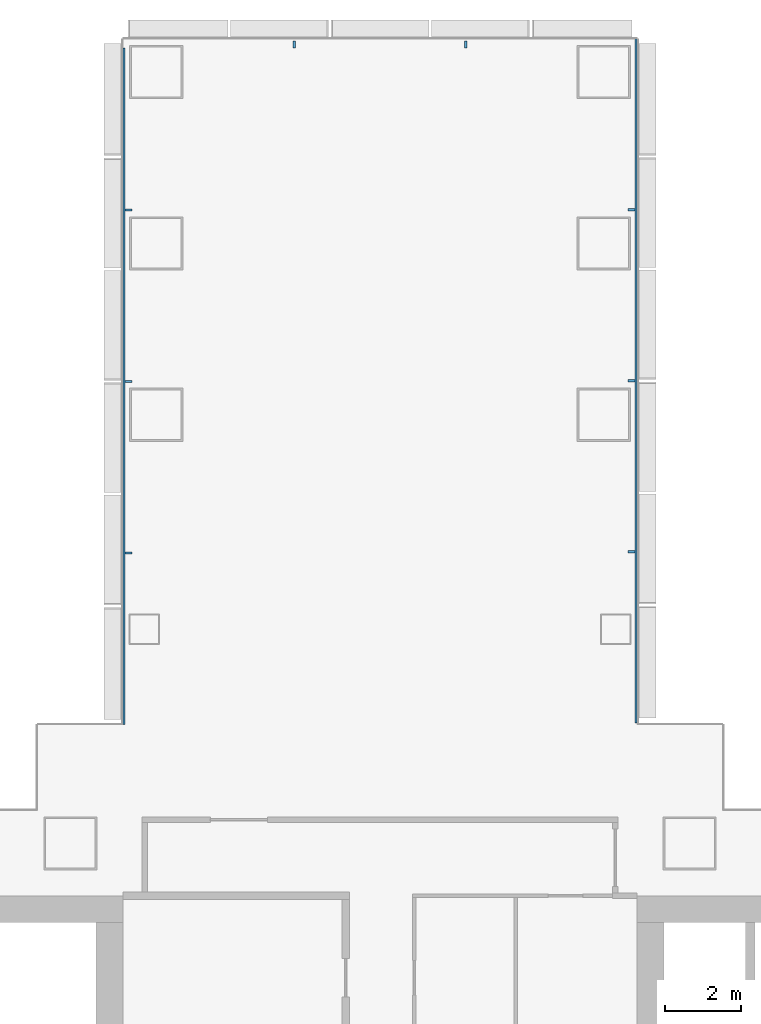
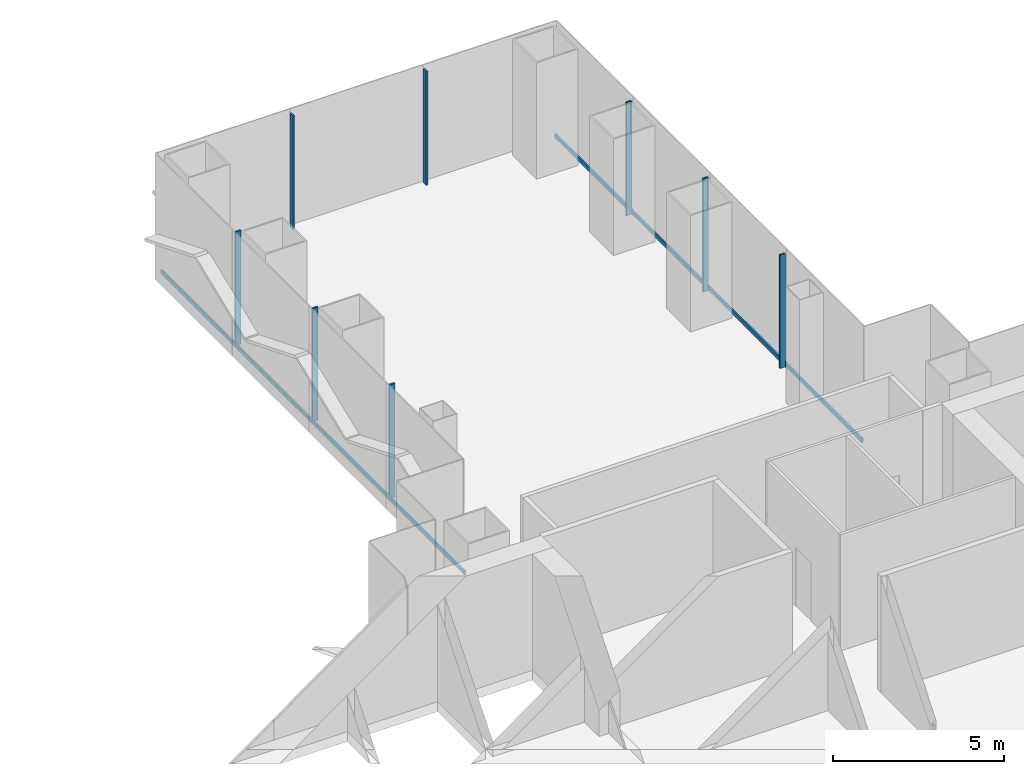
# One storey, part 10 of 22: 10 members, 3 elements without a shape of their own.
"""IFC4 building model written with IfcOpenShell, lengths in metres."""

from ifc_helpers import new_model, si_unit, direction, frame, origin, origin_2d, place, context, subcontext, project, spatial, rectangle, extrude, material, layer, layer_set, material_profile, profile_set, type_object, element, aggregate, save


model = new_model("IFC4")

# Units and contexts
model_context = context("Model", 3, precision=1e-05, world=origin(), true_north=direction((0.0, 1.0)))
body_context = subcontext(model_context, "Body", "Model", "MODEL_VIEW")
ifc_project = project(units=[si_unit("LENGTHUNIT", "METRE"), si_unit("AREAUNIT", "SQUARE_METRE"), si_unit("VOLUMEUNIT", "CUBIC_METRE"), si_unit("PLANEANGLEUNIT", "RADIAN"), si_unit("MASSUNIT", "GRAM", prefix="KILO")], contexts=[model_context])

# Site, building, storey
site_placement = place(None, origin())
site = spatial("IfcSite", under=ifc_project, at=site_placement, CompositionType="ELEMENT")
building_placement = place(site_placement, origin())
building = spatial("IfcBuilding", under=site, at=building_placement, Name="Shamsa Quay Exchange Towers", CompositionType="ELEMENT")
storey_placement = place(building_placement, frame((0.0, 0.0, 37.5)))
storey = spatial("IfcBuildingStorey", under=building, at=storey_placement, Name="L07", CompositionType="ELEMENT", Elevation=37.5)

# Curtain wall, members
ifc_material = material(Name="Aluminium EN AW-6063 T6, black anodised", Category="aluminium")
ifc_layer = layer(ifc_material, 0.280029296875)
ifc_layer_set = layer_set([ifc_layer], Name="CW-1 UNITISED VISION GLASS")
curtain_wall_type = type_object("IfcCurtainWallType", Name="CW-1 UNITISED VISION GLASS", PredefinedType="NOTDEFINED", material=ifc_layer_set)
curtain_wall_1_placement = place(storey_placement, origin())
curtain_wall_1 = element("IfcCurtainWall", 1, at=curtain_wall_1_placement, inside=storey, type_object=curtain_wall_type, Name="CW1 T2-FLK-U+S L07", PredefinedType="NOTDEFINED")
ifc_material_profile_1 = material_profile(ifc_material, rectangle(XDim=0.179931640625, YDim=0.06005859375, at=origin_2d()), Name="MU60x180")
ifc_profile_set_1 = profile_set([ifc_material_profile_1], Name="Aluminium EN AW-6063 T6, black anodised")
member_type_1 = type_object("IfcMemberType", Name="CW1 MULLION 60x180", PredefinedType="MULLION", material=ifc_profile_set_1)
member_1_placement = place(storey_placement, frame((40.35009765625, 15.778564453125, 0.0), z_axis=(0.0, 0.0, 1.0), x_axis=(-1.0, 0.0, 0.0)))
member_1 = element("IfcMember", 2, at=member_1_placement, type_object=member_type_1, Name="CW1 mullion", PredefinedType="MULLION", context=body_context, shape_type="SweptSolid", body=[
    extrude(rectangle(XDim=0.179931640625, YDim=0.06005859375, at=origin_2d()), origin(), (0.0, 0.0, 1.0), 4.050048828125),
])
member_2_placement = place(storey_placement, frame((40.35009765625, 20.26904296875, 0.0), z_axis=(0.0, 0.0, 1.0), x_axis=(-1.0, 0.0, 0.0)))
member_2 = element("IfcMember", 3, at=member_2_placement, type_object=member_type_1, Name="CW1 mullion", PredefinedType="MULLION", context=body_context, shape_type="SweptSolid", body=[
    extrude(rectangle(XDim=0.179931640625, YDim=0.06005859375, at=origin_2d()), origin(), (0.0, 0.0, 1.0), 4.050048828125),
])
member_3_placement = place(storey_placement, frame((40.35009765625, 24.759521484375, 0.0), z_axis=(0.0, 0.0, 1.0), x_axis=(-1.0, 0.0, 0.0)))
member_3 = element("IfcMember", 4, at=member_3_placement, type_object=member_type_1, Name="CW1 mullion", PredefinedType="MULLION", context=body_context, shape_type="SweptSolid", body=[
    extrude(rectangle(XDim=0.179931640625, YDim=0.06005859375, at=origin_2d()), origin(), (0.0, 0.0, 1.0), 4.050048828125),
])

curtain_wall_2_placement = place(storey_placement, origin())
curtain_wall_2 = element("IfcCurtainWall", 5, at=curtain_wall_2_placement, inside=storey, type_object=curtain_wall_type, Name="CW1 T2-END-U+ L07", PredefinedType="NOTDEFINED")
member_4_placement = place(storey_placement, frame((36.0, 29.10009765625, 0.0), z_axis=(0.0, 0.0, 1.0), x_axis=(0.0, -1.0, 0.0)))
member_4 = element("IfcMember", 6, at=member_4_placement, type_object=member_type_1, Name="CW1 mullion", PredefinedType="MULLION", context=body_context, shape_type="SweptSolid", body=[
    extrude(rectangle(XDim=0.179931640625, YDim=0.06005859375, at=origin_2d()), origin(), (0.0, 0.0, 1.0), 4.050048828125),
])
member_5_placement = place(storey_placement, frame((31.5, 29.10009765625, 0.0), z_axis=(0.0, 0.0, 1.0), x_axis=(0.0, -1.0, 0.0)))
member_5 = element("IfcMember", 7, at=member_5_placement, type_object=member_type_1, Name="CW1 mullion", PredefinedType="MULLION", context=body_context, shape_type="SweptSolid", body=[
    extrude(rectangle(XDim=0.179931640625, YDim=0.06005859375, at=origin_2d()), origin(), (0.0, 0.0, 1.0), 4.050048828125),
])
aggregate(curtain_wall_2, [member_4, member_5])

curtain_wall_3_placement = place(storey_placement, origin())
curtain_wall_3 = element("IfcCurtainWall", 8, at=curtain_wall_3_placement, inside=storey, type_object=curtain_wall_type, Name="CW1 T2-FLK-U+N L07", PredefinedType="NOTDEFINED")
member_6_placement = place(storey_placement, frame((27.14990234375, 24.75, 0.0)))
member_6 = element("IfcMember", 9, at=member_6_placement, type_object=member_type_1, Name="CW1 mullion", PredefinedType="MULLION", context=body_context, shape_type="SweptSolid", body=[
    extrude(rectangle(XDim=0.179931640625, YDim=0.06005859375, at=origin_2d()), origin(), (0.0, 0.0, 1.0), 4.050048828125),
])
member_7_placement = place(storey_placement, frame((27.14990234375, 20.25, 0.0)))
member_7 = element("IfcMember", 10, at=member_7_placement, type_object=member_type_1, Name="CW1 mullion", PredefinedType="MULLION", context=body_context, shape_type="SweptSolid", body=[
    extrude(rectangle(XDim=0.179931640625, YDim=0.06005859375, at=origin_2d()), origin(), (0.0, 0.0, 1.0), 4.050048828125),
])
member_8_placement = place(storey_placement, frame((27.14990234375, 15.75, 0.0)))
member_8 = element("IfcMember", 11, at=member_8_placement, type_object=member_type_1, Name="CW1 mullion", PredefinedType="MULLION", context=body_context, shape_type="SweptSolid", body=[
    extrude(rectangle(XDim=0.179931640625, YDim=0.06005859375, at=origin_2d()), origin(), (0.0, 0.0, 1.0), 4.050048828125),
])

# Member
ifc_material_profile_2 = material_profile(ifc_material, rectangle(XDim=0.06005859375, YDim=0.139892578125, at=origin_2d()), Name="TR140x60")
ifc_profile_set_2 = profile_set([ifc_material_profile_2], Name="Aluminium EN AW-6063 T6, black anodised")
member_type_2 = type_object("IfcMemberType", Name="CW1 TRANSOM 140x60", PredefinedType="USERDEFINED", material=ifc_profile_set_2)
member_9_placement = place(storey_placement, frame((40.469970703125, 11.2880859375, 0.070068359375), z_axis=(0.0, 1.0, 0.0), x_axis=(-1.0, 0.0, 0.0)))
member_9 = element("IfcMember", 12, at=member_9_placement, type_object=member_type_2, Name="CW1 transom", ObjectType="TRANSOM", PredefinedType="USERDEFINED", context=body_context, shape_type="SweptSolid", body=[
    extrude(rectangle(XDim=0.06005859375, YDim=0.139892578125, at=origin_2d()), origin(), (0.0, 0.0, 1.0), 17.9619140625),
])

aggregate(curtain_wall_1, [member_9, member_1, member_2, member_3])

member_10_placement = place(storey_placement, frame((27.030029296875, 29.008056640625, 0.070068359375), z_axis=(0.0, -1.0, 0.0), x_axis=(1.0, 0.0, 0.0)))
member_10 = element("IfcMember", 13, at=member_10_placement, type_object=member_type_2, Name="CW1 transom", ObjectType="TRANSOM", PredefinedType="USERDEFINED", context=body_context, shape_type="SweptSolid", body=[
    extrude(rectangle(XDim=0.06005859375, YDim=0.139892578125, at=origin_2d()), origin(), (0.0, 0.0, 1.0), 17.758056640625),
])

aggregate(curtain_wall_3, [member_10, member_6, member_7, member_8])

save(model, "model.ifc")
